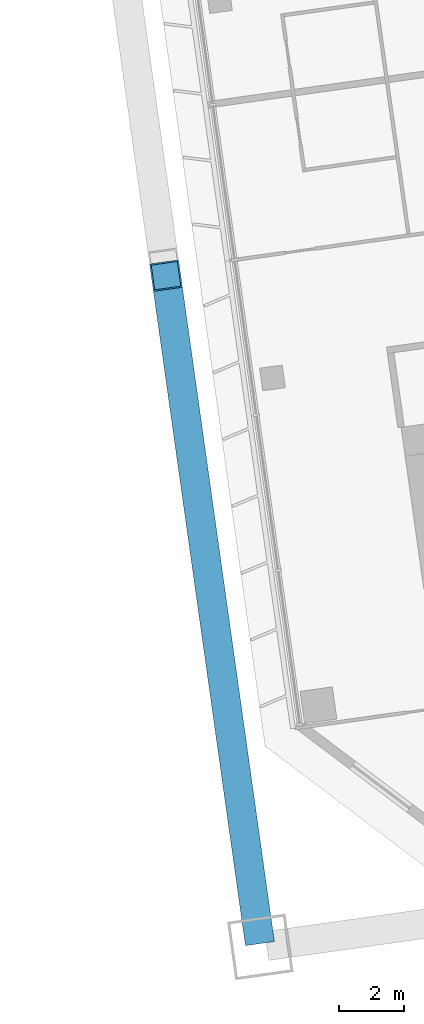
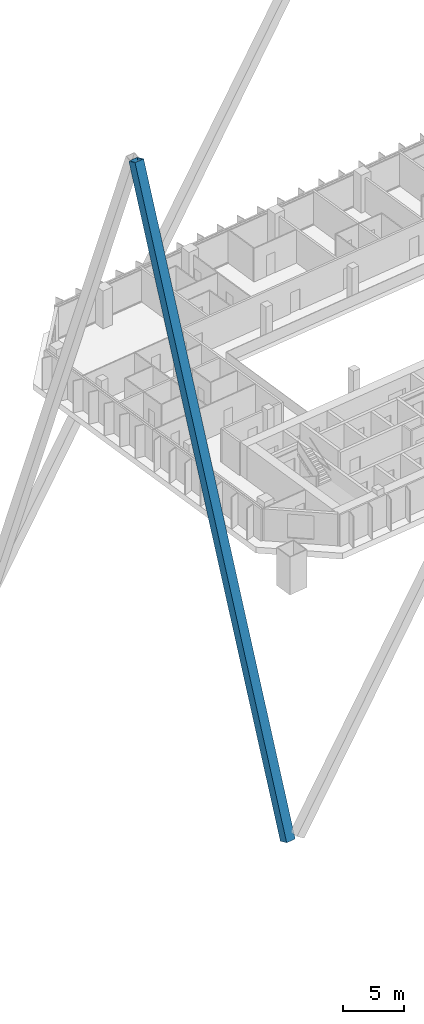
# One storey, part 20 of 49: 1 member.
"""IFC4 building model written with IfcOpenShell, lengths in metres."""

from ifc_helpers import new_model, si_unit, direction, frame, origin, origin_2d, place, context, subcontext, project, spatial, hollow_rectangle, extrude, material, material_profile, profile_set, type_object, element, save


model = new_model("IFC4")

# Units and contexts
model_context = context("Model", 3, precision=1e-05, world=origin(), true_north=direction((0.0, 1.0)))
body_context = subcontext(model_context, "Body", "Model", "MODEL_VIEW")
ifc_project = project(units=[si_unit("LENGTHUNIT", "METRE"), si_unit("AREAUNIT", "SQUARE_METRE"), si_unit("VOLUMEUNIT", "CUBIC_METRE"), si_unit("PLANEANGLEUNIT", "RADIAN"), si_unit("MASSUNIT", "GRAM", prefix="KILO")], contexts=[model_context])

# Site, building, storey
site_placement = place(None, origin())
site = spatial("IfcSite", under=ifc_project, at=site_placement, CompositionType="ELEMENT")
building_placement = place(site_placement, origin())
building = spatial("IfcBuilding", under=site, at=building_placement, Name="Mirante Cascada Hotel Towers", CompositionType="ELEMENT")
storey_placement = place(building_placement, frame((0.0, 0.0, 66.1)))
storey = spatial("IfcBuildingStorey", under=building, at=storey_placement, Name="L13", CompositionType="ELEMENT", Elevation=66.1)

# Member
ifc_material = material(Name="Steel ASTM A572 Gr 50", Category="steel")
ifc_material_profile = material_profile(ifc_material, hollow_rectangle(XDim=0.9, YDim=0.9, WallThickness=0.045, at=origin_2d()), Name="Box brace 900x900x45 ASTM A572 Gr 50")
ifc_profile_set = profile_set([ifc_material_profile], Name="Steel ASTM A572 Gr 50")
member_type = type_object("IfcMemberType", Name="Box brace 900x900x45 ASTM A572 Gr 50", PredefinedType="BRACE", material=ifc_profile_set)
member_placement = place(storey_placement, frame((30.8689, -22.5532, -25.815), z_axis=(-0.0465147, 0.3309699, 0.9424942), x_axis=(-0.9902681, -0.1391729, 0.0)))
element("IfcMember", 1, at=member_placement, inside=storey, type_object=member_type, Name="brace T2 L13 5", PredefinedType="BRACE", context=body_context, shape_type="SweptSolid", body=[
    extrude(hollow_rectangle(XDim=0.9, YDim=0.9, WallThickness=0.045, at=origin_2d()), origin(), (0.0, 0.0, 1.0), 60.7055),
])

save(model, "model.ifc")
